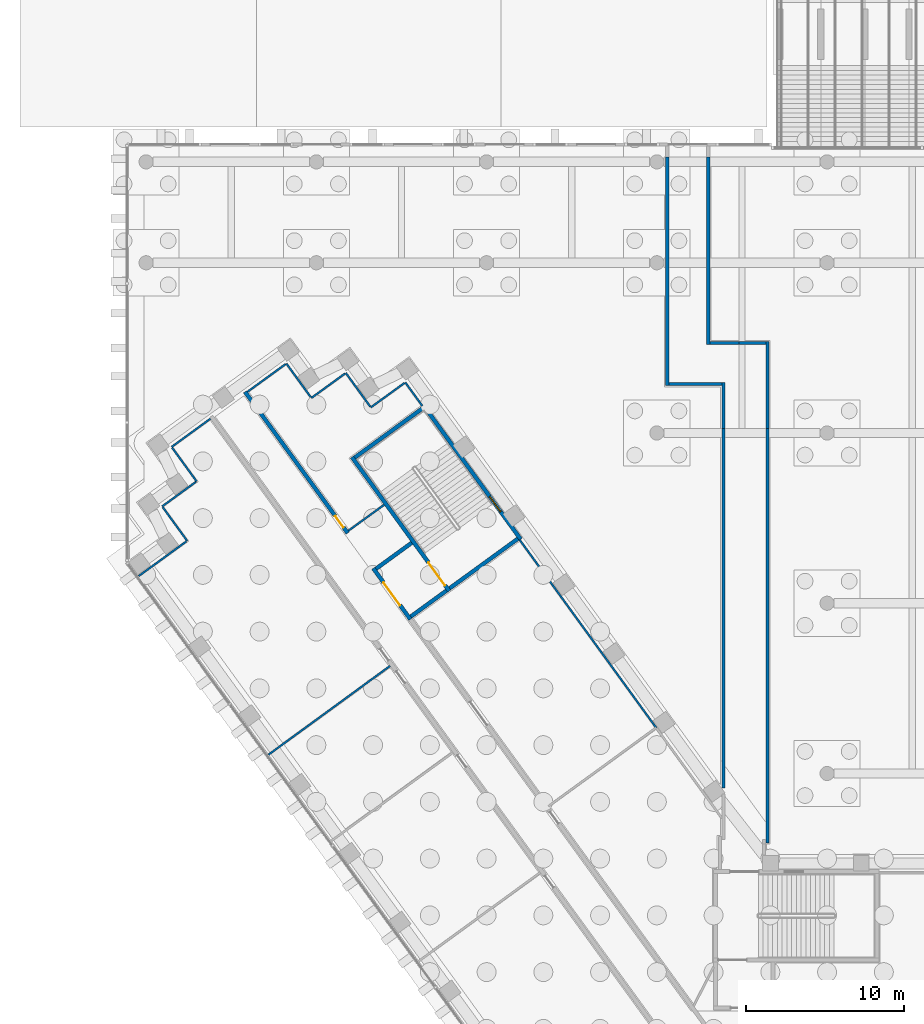
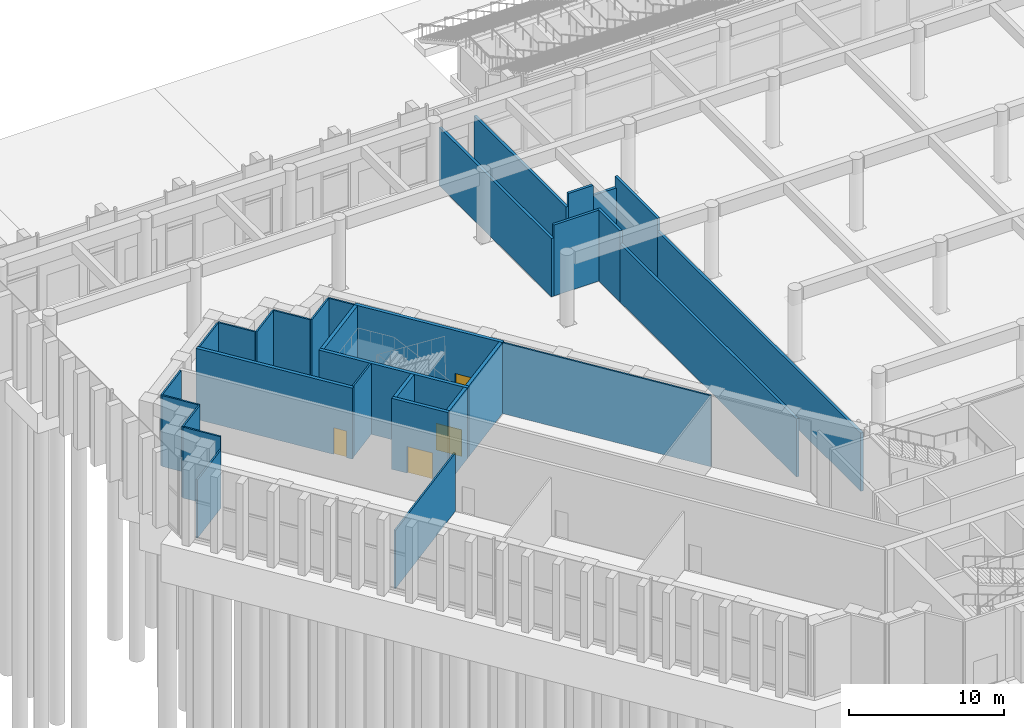
# One storey, part 19 of 32: 31 walls, 3 doors, 1 window, 4 openings.
"""IFC4 building model written with IfcOpenShell, lengths in metres."""

from ifc_helpers import new_model, si_unit, direction, frame, frame_2d, origin, place, context, subcontext, project, spatial, rectangle, extrude, material, layer, layer_set, type_object, element, fill, save


model = new_model("IFC4")

# Units and contexts
model_context = context("Model", 3, precision=1e-05, world=origin(), true_north=direction((0.0, 1.0)))
body_context = subcontext(model_context, "Body", "Model", "MODEL_VIEW")
ifc_project = project(units=[si_unit("LENGTHUNIT", "METRE"), si_unit("AREAUNIT", "SQUARE_METRE"), si_unit("VOLUMEUNIT", "CUBIC_METRE"), si_unit("PLANEANGLEUNIT", "RADIAN"), si_unit("MASSUNIT", "GRAM", prefix="KILO")], contexts=[model_context])

# Site, building, storey
site_placement = place(None, origin())
site = spatial("IfcSite", under=ifc_project, at=site_placement, CompositionType="ELEMENT")
building_placement = place(site_placement, origin())
building = spatial("IfcBuilding", under=site, at=building_placement, Name="Quipu Civic Tower", CompositionType="ELEMENT")
storey_placement = place(building_placement, origin())
storey = spatial("IfcBuildingStorey", under=building, at=storey_placement, Name="L00", CompositionType="ELEMENT", Elevation=0.0)

# Wall, opening, window
ifc_material_1 = material(Name="Concrete C70/85", Category="concrete")
ifc_layer_1 = layer(ifc_material_1, 0.25)
ifc_layer_set_1 = layer_set([ifc_layer_1], Name="Concrete C70/85")
wall_type_1 = type_object("IfcWallType", Name="Core wall 250", PredefinedType="SHEAR", material=ifc_layer_set_1)
wall_1_placement = place(storey_placement, frame((-30.239501953125, 31.06396484375, 0.0), z_axis=(0.0, 0.0, 1.0), x_axis=(-0.587795589702, 0.809009483706, 0.0)))
wall_1 = element("IfcWall", 1, at=wall_1_placement, inside=storey, type_object=wall_type_1, Name="Core wall", PredefinedType="SHEAR", context=body_context, shape_type="SweptSolid", body=[
    extrude(rectangle(XDim=10.5, YDim=0.25, at=frame_2d((5.25, 0.0))), origin(), (0.0, 0.0, 1.0), 5.60009765625),
])
opening_1_placement = place(wall_1_placement, frame((2.14990234375, 0.0, 1.0)))
opening_1 = element("IfcOpeningElement", 2, at=opening_1_placement, cuts=wall_1, Name="Opening SV-6", PredefinedType="OPENING", context=body_context, shape_type="SweptSolid", body=[
    extrude(rectangle(XDim=1.199951171875, YDim=1.199951171875, at=frame_2d((0.60009765625, 0.60009765625))), frame((0.0, 0.135009765625, 0.0), z_axis=(0.0, -1.0, 0.0), x_axis=(1.0, 0.0, 0.0)), (0.0, 0.0, 1.0), 0.27001953125),
])
ifc_material_2 = material(Name="Aluminium louvre", Category="aluminium")
window_type = type_object("IfcWindowType", Name="Stair ventilation louvre 1200 x 1200", PartitioningType="SINGLE_PANEL", PredefinedType="WINDOW", material=ifc_material_2)
window_placement = place(opening_1_placement, origin())
window = element("IfcWindow", 3, at=window_placement, inside=storey, type_object=window_type, Name="Stair ventilation opening", OverallHeight=1.199951171875, OverallWidth=1.199951171875, PartitioningType="SINGLE_PANEL", PredefinedType="WINDOW", context=body_context, shape_type="SweptSolid", body=[
    extrude(rectangle(XDim=1.199951171875, YDim=1.199951171875, at=frame_2d((0.60009765625, 0.60009765625))), frame((0.0, 0.030029296875, 0.0), z_axis=(0.0, -1.0, 0.0), x_axis=(1.0, 0.0, 0.0)), (0.0, 0.0, 1.0), 0.06005859375),
])
fill(opening_1, window)

# Walls
wall_2_placement = place(storey_placement, frame((-30.414306640625, 31.091796875, 0.0), z_axis=(0.0, 0.0, 1.0), x_axis=(-0.8089984606, -0.587810760999, 0.0)))
element("IfcWall", 4, at=wall_2_placement, inside=storey, type_object=wall_type_1, Name="Core wall", PredefinedType="SHEAR", context=body_context, shape_type="SweptSolid", body=[
    extrude(rectangle(XDim=5.35009765625, YDim=0.25, at=frame_2d((2.675048828125, 0.0))), origin(), (0.0, 0.0, 1.0), 5.60009765625),
])
wall_3_placement = place(storey_placement, frame((-36.43896484375, 39.384033203125, 0.0), z_axis=(0.0, 0.0, 1.0), x_axis=(-0.809020161303, -0.587780893365, 0.0)))
element("IfcWall", 5, at=wall_3_placement, inside=storey, type_object=wall_type_1, Name="Core wall", PredefinedType="SHEAR", context=body_context, shape_type="SweptSolid", body=[
    extrude(rectangle(XDim=5.349853515625, YDim=0.25, at=frame_2d((2.6748046875, 0.0))), origin(), (0.0, 0.0, 1.0), 5.60009765625),
])

# Wall, opening, door
wall_4_placement = place(storey_placement, frame((-40.94189453125, 36.26708984375, 0.0), z_axis=(0.0, 0.0, 1.0), x_axis=(0.587795589702, -0.809009483706, 0.0)))
wall_4 = element("IfcWall", 6, at=wall_4_placement, inside=storey, type_object=wall_type_1, Name="Core wall", PredefinedType="SHEAR", context=body_context, shape_type="SweptSolid", body=[
    extrude(rectangle(XDim=10.5, YDim=0.25, at=frame_2d((5.25, 0.0))), origin(), (0.0, 0.0, 1.0), 5.60009765625),
])
opening_2_placement = place(wall_4_placement, frame((8.25, 0.0, 0.0)))
opening_2 = element("IfcOpeningElement", 7, at=opening_2_placement, cuts=wall_4, Name="Opening CD-20", PredefinedType="OPENING", context=body_context, shape_type="SweptSolid", body=[
    extrude(rectangle(XDim=1.800048828125, YDim=2.10009765625, at=frame_2d((0.89990234375, 1.050048828125))), frame((0.0, 0.135009765625, 0.0), z_axis=(0.0, -1.0, 0.0), x_axis=(1.0, 0.0, 0.0)), (0.0, 0.0, 1.0), 0.27001953125),
])
ifc_material_3 = material(Name="Fire rated steel door", Category="steel")
door_type_1 = type_object("IfcDoorType", Name="Fire door FD90 double 1800 x 2100", OperationType="NOTDEFINED", PredefinedType="DOOR", material=ifc_material_3)
door_1_placement = place(opening_2_placement, origin())
door_1 = element("IfcDoor", 8, at=door_1_placement, inside=storey, type_object=door_type_1, Name="Door", OperationType="DOUBLE_DOOR_SINGLE_SWING", OverallHeight=2.10009765625, OverallWidth=1.800048828125, PredefinedType="DOOR", context=body_context, shape_type="SweptSolid", body=[
    extrude(rectangle(XDim=1.800048828125, YDim=2.10009765625, at=frame_2d((0.89990234375, 1.050048828125))), frame((0.0, 0.02490234375, 0.0), z_axis=(0.0, -1.0, 0.0), x_axis=(1.0, 0.0, 0.0)), (0.0, 0.0, 1.0), 0.050048828125),
])
fill(opening_2, door_1)

# Walls
for number, where, z_axis, x_axis, name in (
    (9, (-34.944580078125, 27.800048828125, 0.0), (0.0, 0.0, 1.0), (-0.809041377956, -0.587751689708, 0.0), "Core wall"),
    (10, (-37.14892578125, 30.833984375, 0.0), (0.0, 0.0, 1.0), (-0.808969789945, -0.58785021813, 0.0), "Core wall"),
):
    element("IfcWall", number, at=place(storey_placement, frame(where, z_axis=z_axis, x_axis=x_axis)), inside=storey, type_object=wall_type_1, Name=name, PredefinedType="SHEAR", context=body_context, shape_type="SweptSolid", body=[
        extrude(rectangle(XDim=2.800048828125, YDim=0.25, at=frame_2d((1.39990234375, 0.0))), origin(), (0.0, 0.0, 1.0), 5.60009765625),
    ])

# Wall, opening, door
wall_5_placement = place(storey_placement, frame((-39.588623046875, 29.2158203125, 0.0), z_axis=(0.0, 0.0, 1.0), x_axis=(0.587772420479, -0.809026317077, 0.0)))
wall_5 = element("IfcWall", 11, at=wall_5_placement, inside=storey, type_object=wall_type_1, Name="Core wall", PredefinedType="SHEAR", context=body_context, shape_type="SweptSolid", body=[
    extrude(rectangle(XDim=4.0, YDim=0.25, at=frame_2d((2.0, 0.0))), origin(), (0.0, 0.0, 1.0), 5.60009765625),
])
opening_3_placement = place(wall_5_placement, frame((1.10009765625, 0.0, 0.0)))
opening_3 = element("IfcOpeningElement", 12, at=opening_3_placement, cuts=wall_5, Name="Opening CD-21", PredefinedType="OPENING", context=body_context, shape_type="SweptSolid", body=[
    extrude(rectangle(XDim=1.800048828125, YDim=2.10009765625, at=frame_2d((0.89990234375, 1.050048828125))), frame((0.0, 0.135009765625, 0.0), z_axis=(0.0, -1.0, 0.0), x_axis=(1.0, 0.0, 0.0)), (0.0, 0.0, 1.0), 0.27001953125),
])
door_2_placement = place(opening_3_placement, origin())
door_2 = element("IfcDoor", 13, at=door_2_placement, inside=storey, type_object=door_type_1, Name="Lobby door", OperationType="DOUBLE_DOOR_SINGLE_SWING", OverallHeight=2.10009765625, OverallWidth=1.800048828125, PredefinedType="DOOR", context=body_context, shape_type="SweptSolid", body=[
    extrude(rectangle(XDim=1.800048828125, YDim=2.10009765625, at=frame_2d((0.89990234375, 1.050048828125))), frame((0.0, 0.02490234375, 0.0), z_axis=(0.0, -1.0, 0.0), x_axis=(1.0, 0.0, 0.0)), (0.0, 0.0, 1.0), 0.050048828125),
])
fill(opening_3, door_2)

ifc_material_4 = material(Name="Concrete C50/60", Category="concrete")
ifc_layer_2 = layer(ifc_material_4, 0.25)
ifc_layer_set_2 = layer_set([ifc_layer_2], Name="Concrete C50/60")
wall_type_2 = type_object("IfcWallType", Name="Corridor wall 250 concrete", PredefinedType="SOLIDWALL", material=ifc_layer_set_2)
wall_6_placement = place(storey_placement, frame((-47.724853515625, 40.414306640625, 0.0), z_axis=(0.0, 0.0, 1.0), x_axis=(0.587773291021, -0.809025684612, 0.0)))
wall_6 = element("IfcWall", 14, at=wall_6_placement, inside=storey, type_object=wall_type_2, Name="Corridor wall C03", PredefinedType="SOLIDWALL", context=body_context, shape_type="SweptSolid", body=[
    extrude(rectangle(XDim=11.07861328125, YDim=0.25, at=frame_2d((5.539306640625, 0.0))), origin(), (0.0, 0.0, 1.0), 5.60009765625),
])
opening_4_placement = place(wall_6_placement, frame((9.737060546875, 0.0, 0.0)))
opening_4 = element("IfcOpeningElement", 15, at=opening_4_placement, cuts=wall_6, Name="Opening D012", PredefinedType="OPENING", context=body_context, shape_type="SweptSolid", body=[
    extrude(rectangle(XDim=0.89990234375, YDim=2.10009765625, at=frame_2d((0.449951171875, 1.050048828125))), frame((0.0, 0.135009765625, 0.0), z_axis=(0.0, -1.0, 0.0), x_axis=(1.0, 0.0, 0.0)), (0.0, 0.0, 1.0), 0.27001953125),
])
ifc_material_5 = material(Name="Fire rated timber door set with metal frame", Category="wood")
door_type_2 = type_object("IfcDoorType", Name="Single door 900 x 2100 FD60", OperationType="NOTDEFINED", PredefinedType="DOOR", material=ifc_material_5)
door_3_placement = place(opening_4_placement, origin())
door_3 = element("IfcDoor", 16, at=door_3_placement, inside=storey, type_object=door_type_2, Name="Door D012", OperationType="SINGLE_SWING_RIGHT", OverallHeight=2.10009765625, OverallWidth=0.89990234375, PredefinedType="DOOR", context=body_context, shape_type="SweptSolid", body=[
    extrude(rectangle(XDim=0.89990234375, YDim=2.10009765625, at=frame_2d((0.449951171875, 1.050048828125))), frame((0.0, 0.02490234375, 0.0), z_axis=(0.0, -1.0, 0.0), x_axis=(1.0, 0.0, 0.0)), (0.0, 0.0, 1.0), 0.050048828125),
])
fill(opening_4, door_3)

# Walls
ifc_material_6 = material(Name="Concrete C40/50", Category="concrete")
ifc_layer_3 = layer(ifc_material_6, 0.199951171875)
ifc_layer_set_3 = layer_set([ifc_layer_3], Name="Concrete C40/50")
wall_type_3 = type_object("IfcWallType", Name="Exit passage wall 200", PredefinedType="SOLIDWALL", material=ifc_layer_set_3)
wall_7_placement = place(storey_placement, frame((-14.580078125, 11.800048828125, 0.0), z_axis=(0.0, 0.0, 1.0), x_axis=(0.0, 1.0, 0.0)))
element("IfcWall", 17, at=wall_7_placement, inside=storey, type_object=wall_type_3, Name="Exit passage 3 wall", PredefinedType="SOLIDWALL", context=body_context, shape_type="SweptSolid", body=[
    extrude(rectangle(XDim=26.300048828125, YDim=0.199951171875, at=frame_2d((13.14990234375, 0.0))), origin(), (0.0, 0.0, 1.0), 4.60009765625),
])
wall_8_placement = place(storey_placement, frame((-14.580078125, 38.10009765625, 0.0), z_axis=(0.0, 0.0, 1.0), x_axis=(0.0, 1.0, 0.0)))
element("IfcWall", 18, at=wall_8_placement, inside=storey, type_object=wall_type_3, Name="Exit passage 3 wall", PredefinedType="SOLIDWALL", context=body_context, shape_type="SweptSolid", body=[
    extrude(rectangle(XDim=5.5, YDim=0.199951171875, at=frame_2d((2.75, 0.0))), origin(), (0.0, 0.0, 1.0), 5.60009765625),
])
wall_9_placement = place(storey_placement, frame((-17.3798828125, 15.280029296875, 0.0), z_axis=(0.0, 0.0, 1.0), x_axis=(0.0, 1.0, 0.0)))
element("IfcWall", 19, at=wall_9_placement, inside=storey, type_object=wall_type_3, Name="Exit passage 3 wall", PredefinedType="SOLIDWALL", context=body_context, shape_type="SweptSolid", body=[
    extrude(rectangle(XDim=22.820068359375, YDim=0.199951171875, at=frame_2d((11.41015625, 0.0))), origin(), (0.0, 0.0, 1.0), 4.60009765625),
])
wall_10_placement = place(storey_placement, frame((-17.3798828125, 38.10009765625, 0.0), z_axis=(0.0, 0.0, 1.0), x_axis=(0.0, 1.0, 0.0)))
element("IfcWall", 20, at=wall_10_placement, inside=storey, type_object=wall_type_3, Name="Exit passage 3 wall", PredefinedType="SOLIDWALL", context=body_context, shape_type="SweptSolid", body=[
    extrude(rectangle(XDim=2.89990234375, YDim=0.199951171875, at=frame_2d((1.449951171875, 0.0))), origin(), (0.0, 0.0, 1.0), 5.60009765625),
])
wall_11_placement = place(storey_placement, frame((-20.93994140625, 40.800048828125, 0.0), z_axis=(0.0, 0.0, 1.0), x_axis=(0.0, 1.0, 0.0)))
element("IfcWall", 21, at=wall_11_placement, inside=storey, type_object=wall_type_3, Name="Exit passage 3 wall", PredefinedType="SOLIDWALL", context=body_context, shape_type="SweptSolid", body=[
    extrude(rectangle(XDim=14.5, YDim=0.199951171875, at=frame_2d((7.25, 0.0))), origin(), (0.0, 0.0, 1.0), 4.60009765625),
])
wall_12_placement = place(storey_placement, frame((-20.840087890625, 40.89990234375, 0.0), z_axis=(0.0, 0.0, 1.0), x_axis=(1.0, 0.0, 0.0)))
element("IfcWall", 22, at=wall_12_placement, inside=storey, type_object=wall_type_3, Name="Exit passage 3 wall", PredefinedType="SOLIDWALL", context=body_context, shape_type="SweptSolid", body=[
    extrude(rectangle(XDim=3.360107421875, YDim=0.199951171875, at=frame_2d((1.68017578125, 0.0))), origin(), (0.0, 0.0, 1.0), 5.60009765625),
])
wall_13_placement = place(storey_placement, frame((-18.340087890625, 43.39990234375, 0.0), z_axis=(0.0, 0.0, 1.0), x_axis=(0.0, 1.0, 0.0)))
element("IfcWall", 23, at=wall_13_placement, inside=storey, type_object=wall_type_3, Name="Exit passage 3 wall", PredefinedType="SOLIDWALL", context=body_context, shape_type="SweptSolid", body=[
    extrude(rectangle(XDim=11.900146484375, YDim=0.199951171875, at=frame_2d((5.9501953125, 0.0))), origin(), (0.0, 0.0, 1.0), 4.60009765625),
])
wall_14_placement = place(storey_placement, frame((-18.239990234375, 43.5, 0.0), z_axis=(0.0, 0.0, 1.0), x_axis=(1.0, 0.0, 0.0)))
element("IfcWall", 24, at=wall_14_placement, inside=storey, type_object=wall_type_3, Name="Exit passage 3 wall", PredefinedType="SOLIDWALL", context=body_context, shape_type="SweptSolid", body=[
    extrude(rectangle(XDim=1.840087890625, YDim=0.199951171875, at=frame_2d((0.919921875, 0.0))), origin(), (0.0, 0.0, 1.0), 5.60009765625),
])
wall_15_placement = place(storey_placement, frame((-16.39990234375, 43.5, 0.0), z_axis=(0.0, 0.0, 1.0), x_axis=(1.0, 0.0, 0.0)))
element("IfcWall", 25, at=wall_15_placement, inside=storey, type_object=wall_type_3, Name="Exit passage 3 wall", PredefinedType="SOLIDWALL", context=body_context, shape_type="SweptSolid", body=[
    extrude(rectangle(XDim=1.719970703125, YDim=0.199951171875, at=frame_2d((0.85986328125, 0.0))), origin(), (0.0, 0.0, 1.0), 4.800048828125),
])
ifc_material_7 = material(Name="Gypsum plasterboard on light gauge framing")
ifc_layer_4 = layer(ifc_material_7, 0.1201171875)
ifc_layer_set_4 = layer_set([ifc_layer_4], Name="Gypsum plasterboard on light gauge framing")
wall_type_4 = type_object("IfcWallType", Name="Partition 120 plasterboard", PredefinedType="PARTITIONING", material=ifc_layer_set_4)
wall_16_placement = place(storey_placement, frame((-46.234375, 17.394287109375, 0.0), z_axis=(0.0, 0.0, 1.0), x_axis=(0.807606997933, 0.589721067023, 0.0)))
element("IfcWall", 26, at=wall_16_placement, inside=storey, type_object=wall_type_4, Name="Partition P04", PredefinedType="PARTITIONING", context=body_context, shape_type="SweptSolid", body=[
    extrude(rectangle(XDim=9.550048828125, YDim=0.1201171875, at=frame_2d((4.77490234375, 0.0))), origin(), (0.0, 0.0, 1.0), 4.60009765625),
])
wall_17_placement = place(storey_placement, frame((-36.471923828125, 39.514892578125, 0.0), z_axis=(0.0, 0.0, 1.0), x_axis=(-0.587849827043, 0.808970074135, 0.0)))
element("IfcWall", 27, at=wall_17_placement, inside=storey, type_object=wall_type_4, Name="Partition P23", PredefinedType="PARTITIONING", context=body_context, shape_type="SweptSolid", body=[
    extrude(rectangle(XDim=1.849365234375, YDim=0.1201171875, at=frame_2d((0.9248046875, 0.0))), origin(), (0.0, 0.0, 1.0), 5.60009765625),
])
wall_18_placement = place(storey_placement, frame((-37.607666015625, 40.975830078125, 0.0), z_axis=(0.0, 0.0, 1.0), x_axis=(-0.809247697456, -0.587467585627, 0.0)))
element("IfcWall", 28, at=wall_18_placement, inside=storey, type_object=wall_type_4, Name="Partition P24", PredefinedType="PARTITIONING", context=body_context, shape_type="SweptSolid", body=[
    extrude(rectangle(XDim=2.639892578125, YDim=0.1201171875, at=frame_2d((1.31982421875, 0.0))), origin(), (0.0, 0.0, 1.0), 5.60009765625),
])
wall_19_placement = place(storey_placement, frame((-39.779296875, 39.473388671875, 0.0), z_axis=(0.0, 0.0, 1.0), x_axis=(-0.587841698287, 0.80897598095, 0.0)))
element("IfcWall", 29, at=wall_19_placement, inside=storey, type_object=wall_type_4, Name="Partition P25", PredefinedType="PARTITIONING", context=body_context, shape_type="SweptSolid", body=[
    extrude(rectangle(XDim=2.6396484375, YDim=0.1201171875, at=frame_2d((1.31982421875, 0.0))), origin(), (0.0, 0.0, 1.0), 5.60009765625),
])
wall_20_placement = place(storey_placement, frame((-41.379638671875, 41.57373046875, 0.0), z_axis=(0.0, 0.0, 1.0), x_axis=(-0.809279612282, -0.587423619839, 0.0)))
element("IfcWall", 30, at=wall_20_placement, inside=storey, type_object=wall_type_4, Name="Partition P26", PredefinedType="PARTITIONING", context=body_context, shape_type="SweptSolid", body=[
    extrude(rectangle(XDim=2.639892578125, YDim=0.1201171875, at=frame_2d((1.31982421875, 0.0))), origin(), (0.0, 0.0, 1.0), 5.60009765625),
])
wall_21_placement = place(storey_placement, frame((-43.55126953125, 40.071533203125, 0.0), z_axis=(0.0, 0.0, 1.0), x_axis=(-0.587775481884, 0.809024092902, 0.0)))
element("IfcWall", 31, at=wall_21_placement, inside=storey, type_object=wall_type_4, Name="Partition P27", PredefinedType="PARTITIONING", context=body_context, shape_type="SweptSolid", body=[
    extrude(rectangle(XDim=2.638427734375, YDim=0.1201171875, at=frame_2d((1.3193359375, 0.0))), origin(), (0.0, 0.0, 1.0), 5.60009765625),
])
wall_22_placement = place(storey_placement, frame((-45.150390625, 42.170654296875, 0.0), z_axis=(0.0, 0.0, 1.0), x_axis=(-0.809085427997, -0.58769104996, 0.0)))
element("IfcWall", 32, at=wall_22_placement, inside=storey, type_object=wall_type_4, Name="Partition P28", PredefinedType="PARTITIONING", context=body_context, shape_type="SweptSolid", body=[
    extrude(rectangle(XDim=2.99072265625, YDim=0.1201171875, at=frame_2d((1.495361328125, 0.0))), origin(), (0.0, 0.0, 1.0), 5.60009765625),
])
wall_23_placement = place(storey_placement, frame((-49.916015625, 38.708984375, 0.0), z_axis=(0.0, 0.0, 1.0), x_axis=(-0.808929897094, -0.587905112742, 0.0)))
element("IfcWall", 33, at=wall_23_placement, inside=storey, type_object=wall_type_4, Name="Partition P29", PredefinedType="PARTITIONING", context=body_context, shape_type="SweptSolid", body=[
    extrude(rectangle(XDim=3.0498046875, YDim=0.1201171875, at=frame_2d((1.52490234375, 0.0))), origin(), (0.0, 0.0, 1.0), 5.60009765625),
])
wall_24_placement = place(storey_placement, frame((-52.34765625, 36.867431640625, 0.0), z_axis=(0.0, 0.0, 1.0), x_axis=(0.587538940835, -0.809195892848, 0.0)))
element("IfcWall", 34, at=wall_24_placement, inside=storey, type_object=wall_type_4, Name="Partition P30", PredefinedType="PARTITIONING", context=body_context, shape_type="SweptSolid", body=[
    extrude(rectangle(XDim=2.638916015625, YDim=0.1201171875, at=frame_2d((1.3193359375, 0.0))), origin(), (0.0, 0.0, 1.0), 5.60009765625),
])
wall_25_placement = place(storey_placement, frame((-50.845458984375, 34.69677734375, 0.0), z_axis=(0.0, 0.0, 1.0), x_axis=(-0.80897598095, -0.587841698287, 0.0)))
element("IfcWall", 35, at=wall_25_placement, inside=storey, type_object=wall_type_4, Name="Partition P31", PredefinedType="PARTITIONING", context=body_context, shape_type="SweptSolid", body=[
    extrude(rectangle(XDim=2.6396484375, YDim=0.1201171875, at=frame_2d((1.31982421875, 0.0))), origin(), (0.0, 0.0, 1.0), 5.60009765625),
])
wall_26_placement = place(storey_placement, frame((-52.94580078125, 33.096435546875, 0.0), z_axis=(0.0, 0.0, 1.0), x_axis=(0.587423619839, -0.809279612282, 0.0)))
element("IfcWall", 36, at=wall_26_placement, inside=storey, type_object=wall_type_4, Name="Partition P32", PredefinedType="PARTITIONING", context=body_context, shape_type="SweptSolid", body=[
    extrude(rectangle(XDim=2.639892578125, YDim=0.1201171875, at=frame_2d((1.31982421875, 0.0))), origin(), (0.0, 0.0, 1.0), 5.60009765625),
])
wall_27_placement = place(storey_placement, frame((-51.443603515625, 30.9248046875, 0.0), z_axis=(0.0, 0.0, 1.0), x_axis=(-0.808829261721, -0.588043557387, 0.0)))
element("IfcWall", 37, at=wall_27_placement, inside=storey, type_object=wall_type_4, Name="Partition P33", PredefinedType="PARTITIONING", context=body_context, shape_type="SweptSolid", body=[
    extrude(rectangle(XDim=3.738525390625, YDim=0.1201171875, at=frame_2d((1.869140625, 0.0))), origin(), (0.0, 0.0, 1.0), 4.60009765625),
])
wall_28_placement = place(storey_placement, frame((-21.633056640625, 19.091064453125, 0.0), z_axis=(0.0, 0.0, 1.0), x_axis=(-0.587789647109, 0.809013801335, 0.0)))
element("IfcWall", 38, at=wall_28_placement, inside=storey, type_object=wall_type_4, Name="Partition P35", PredefinedType="PARTITIONING", context=body_context, shape_type="SweptSolid", body=[
    extrude(rectangle(XDim=14.7451171875, YDim=0.1201171875, at=frame_2d((7.37255859375, 0.0))), origin(), (0.0, 0.0, 1.0), 5.60009765625),
])
wall_29_placement = place(storey_placement, frame((-41.166015625, 31.59912109375, 0.0), z_axis=(0.0, 0.0, 1.0), x_axis=(0.809090262332, 0.587684394381, 0.0)))
element("IfcWall", 39, at=wall_29_placement, inside=storey, type_object=wall_type_4, Name="Partition P42", PredefinedType="PARTITIONING", context=body_context, shape_type="SweptSolid", body=[
    extrude(rectangle(XDim=2.80078125, YDim=0.1201171875, at=frame_2d((1.400390625, 0.0))), origin(), (0.0, 0.0, 1.0), 5.60009765625),
])

save(model, "model.ifc")
